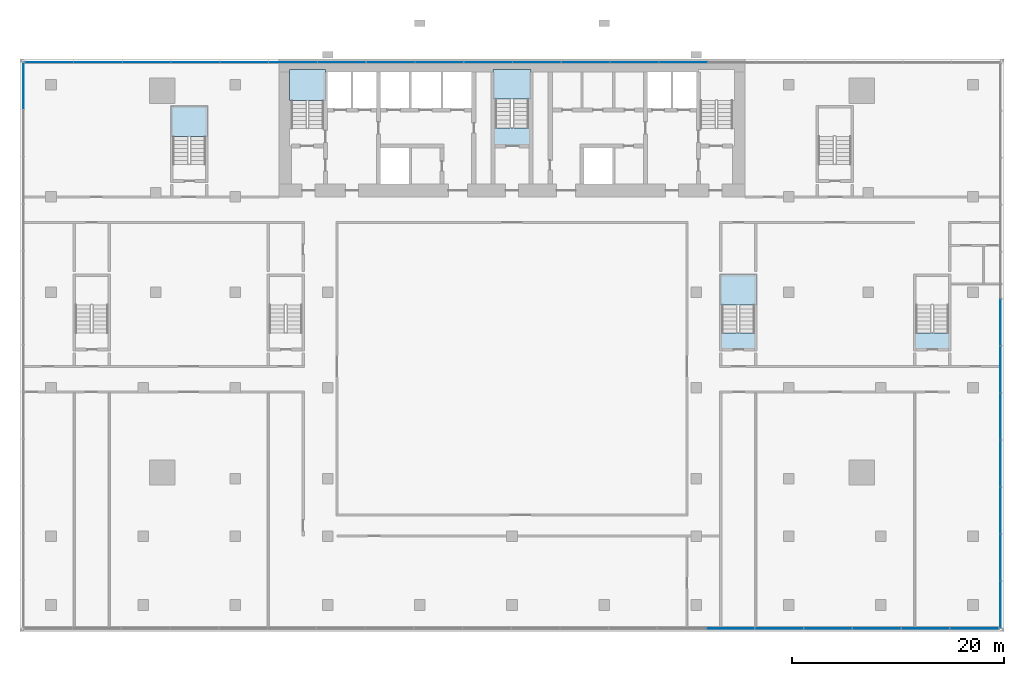
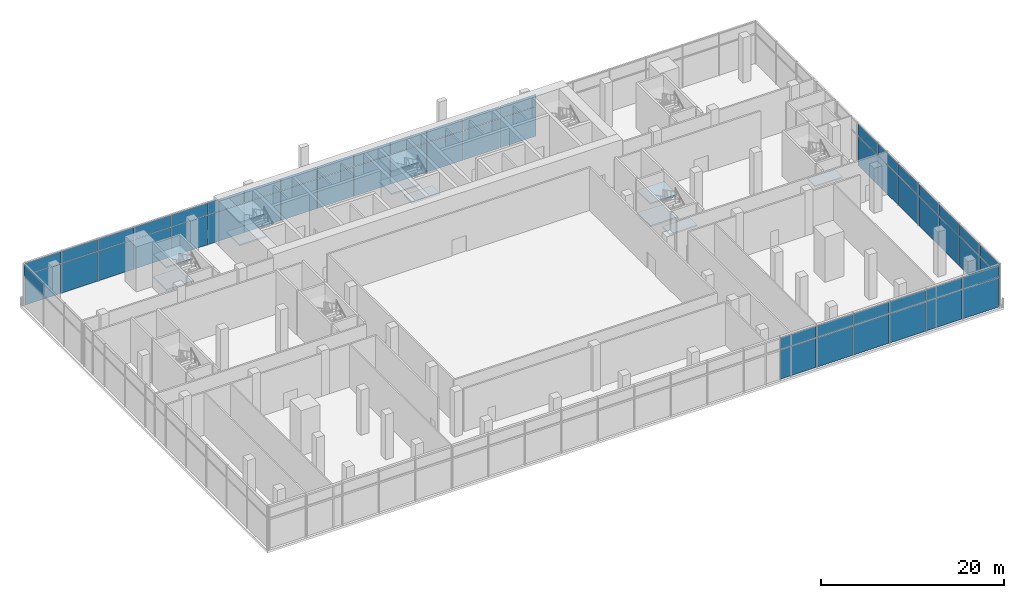
# One storey, part 10 of 21: 55 plates, 11 slabs, 9 elements without a shape of their own.
"""IFC4 building model written with IfcOpenShell, lengths in metres."""

from ifc_helpers import new_model, si_unit, direction, frame, origin, origin_2d, place, context, subcontext, project, spatial, polyline, rectangle, outline, extrude, material, layer, layer_set, type_object, element, aggregate, save


model = new_model("IFC4")

# Units and contexts
model_context = context("Model", 3, precision=1e-05, world=origin(), true_north=direction((0.0, 1.0)))
body_context = subcontext(model_context, "Body", "Model", "MODEL_VIEW")
ifc_project = project(units=[si_unit("LENGTHUNIT", "METRE"), si_unit("AREAUNIT", "SQUARE_METRE"), si_unit("VOLUMEUNIT", "CUBIC_METRE"), si_unit("PLANEANGLEUNIT", "RADIAN"), si_unit("MASSUNIT", "GRAM", prefix="KILO")], contexts=[model_context])

# Site, building, storey
site_placement = place(None, origin())
site = spatial("IfcSite", under=ifc_project, at=site_placement, CompositionType="ELEMENT")
building_placement = place(site_placement, origin())
building = spatial("IfcBuilding", under=site, at=building_placement, Name="Bicima Exchange Tower", CompositionType="ELEMENT")
storey_placement = place(building_placement, frame((0.0, 0.0, 8.0)))
storey = spatial("IfcBuildingStorey", under=building, at=storey_placement, Name="L01", CompositionType="ELEMENT", Elevation=8.0)

# Curtain wall, plates
ifc_material_1 = material(Name="Stainless steel", Category="steel")
curtain_wall_type_1 = type_object("IfcCurtainWallType", Name="Hall structural glazing", PredefinedType="NOTDEFINED", material=ifc_material_1)
curtain_wall_1_placement = place(storey_placement, origin())
curtain_wall_1 = element("IfcCurtainWall", 1, at=curtain_wall_1_placement, inside=storey, type_object=curtain_wall_type_1, Name="Podium glazing L01 south 1", PredefinedType="NOTDEFINED")
ifc_material_2 = material(Name="Clear low-iron glass", Category="glass")
ifc_layer_1 = layer(ifc_material_2, 0.0439453125)
ifc_layer_set_1 = layer_set([ifc_layer_1], Name="Clear low-iron glass")
plate_type_1 = type_object("IfcPlateType", Name="Hall structural glazing glass panel 44", PredefinedType="CURTAIN_PANEL", material=ifc_layer_set_1)
plate_1_placement = place(storey_placement, frame((20.6181640625, -53.699951171875, 0.0), z_axis=(0.0, 0.0, 1.0), x_axis=(1.0, 0.0, 0.0)))
plate_1 = element("IfcPlate", 2, at=plate_1_placement, type_object=plate_type_1, Name="Hall structural glazing panel 15.1", PredefinedType="CURTAIN_PANEL", context=body_context, shape_type="SweptSolid", body=[
    extrude(rectangle(XDim=4.5185546875, YDim=0.0439453125, at=origin_2d()), origin(), (0.0, 0.0, 1.0), 3.89990234375),
])
plate_2_placement = place(storey_placement, frame((20.6181640625, -53.699951171875, 4.0), z_axis=(0.0, 0.0, 1.0), x_axis=(1.0, 0.0, 0.0)))
plate_2 = element("IfcPlate", 3, at=plate_2_placement, type_object=plate_type_1, Name="Hall structural glazing panel 15.2", PredefinedType="CURTAIN_PANEL", context=body_context, shape_type="SweptSolid", body=[
    extrude(rectangle(XDim=4.5185546875, YDim=0.0439453125, at=origin_2d()), origin(), (0.0, 0.0, 1.0), 1.5),
])
plate_3_placement = place(storey_placement, frame((25.216796875, -53.699951171875, 0.0), z_axis=(0.0, 0.0, 1.0), x_axis=(1.0, 0.0, 0.0)))
plate_3 = element("IfcPlate", 4, at=plate_3_placement, type_object=plate_type_1, Name="Hall structural glazing panel 16.1", PredefinedType="CURTAIN_PANEL", context=body_context, shape_type="SweptSolid", body=[
    extrude(rectangle(XDim=4.5185546875, YDim=0.0439453125, at=origin_2d()), origin(), (0.0, 0.0, 1.0), 3.89990234375),
])
plate_4_placement = place(storey_placement, frame((25.216796875, -53.699951171875, 4.0), z_axis=(0.0, 0.0, 1.0), x_axis=(1.0, 0.0, 0.0)))
plate_4 = element("IfcPlate", 5, at=plate_4_placement, type_object=plate_type_1, Name="Hall structural glazing panel 16.2", PredefinedType="CURTAIN_PANEL", context=body_context, shape_type="SweptSolid", body=[
    extrude(rectangle(XDim=4.5185546875, YDim=0.0439453125, at=origin_2d()), origin(), (0.0, 0.0, 1.0), 1.5),
])
plate_5_placement = place(storey_placement, frame((29.815185546875, -53.699951171875, 0.0), z_axis=(0.0, 0.0, 1.0), x_axis=(1.0, 0.0, 0.0)))
plate_5 = element("IfcPlate", 6, at=plate_5_placement, type_object=plate_type_1, Name="Hall structural glazing panel 17.1", PredefinedType="CURTAIN_PANEL", context=body_context, shape_type="SweptSolid", body=[
    extrude(rectangle(XDim=4.5185546875, YDim=0.0439453125, at=origin_2d()), origin(), (0.0, 0.0, 1.0), 3.89990234375),
])
plate_6_placement = place(storey_placement, frame((29.815185546875, -53.699951171875, 4.0), z_axis=(0.0, 0.0, 1.0), x_axis=(1.0, 0.0, 0.0)))
plate_6 = element("IfcPlate", 7, at=plate_6_placement, type_object=plate_type_1, Name="Hall structural glazing panel 17.2", PredefinedType="CURTAIN_PANEL", context=body_context, shape_type="SweptSolid", body=[
    extrude(rectangle(XDim=4.5185546875, YDim=0.0439453125, at=origin_2d()), origin(), (0.0, 0.0, 1.0), 1.5),
])
plate_7_placement = place(storey_placement, frame((34.413818359375, -53.699951171875, 0.0), z_axis=(0.0, 0.0, 1.0), x_axis=(1.0, 0.0, 0.0)))
plate_7 = element("IfcPlate", 8, at=plate_7_placement, type_object=plate_type_1, Name="Hall structural glazing panel 18.1", PredefinedType="CURTAIN_PANEL", context=body_context, shape_type="SweptSolid", body=[
    extrude(rectangle(XDim=4.5185546875, YDim=0.0439453125, at=origin_2d()), origin(), (0.0, 0.0, 1.0), 3.89990234375),
])
plate_8_placement = place(storey_placement, frame((34.413818359375, -53.699951171875, 4.0), z_axis=(0.0, 0.0, 1.0), x_axis=(1.0, 0.0, 0.0)))
plate_8 = element("IfcPlate", 9, at=plate_8_placement, type_object=plate_type_1, Name="Hall structural glazing panel 18.2", PredefinedType="CURTAIN_PANEL", context=body_context, shape_type="SweptSolid", body=[
    extrude(rectangle(XDim=4.5185546875, YDim=0.0439453125, at=origin_2d()), origin(), (0.0, 0.0, 1.0), 1.5),
])
plate_9_placement = place(storey_placement, frame((39.01220703125, -53.699951171875, 0.0), z_axis=(0.0, 0.0, 1.0), x_axis=(1.0, 0.0, 0.0)))
plate_9 = element("IfcPlate", 10, at=plate_9_placement, type_object=plate_type_1, Name="Hall structural glazing panel 19.1", PredefinedType="CURTAIN_PANEL", context=body_context, shape_type="SweptSolid", body=[
    extrude(rectangle(XDim=4.5185546875, YDim=0.0439453125, at=origin_2d()), origin(), (0.0, 0.0, 1.0), 3.89990234375),
])
plate_10_placement = place(storey_placement, frame((39.01220703125, -53.699951171875, 4.0), z_axis=(0.0, 0.0, 1.0), x_axis=(1.0, 0.0, 0.0)))
plate_10 = element("IfcPlate", 11, at=plate_10_placement, type_object=plate_type_1, Name="Hall structural glazing panel 19.2", PredefinedType="CURTAIN_PANEL", context=body_context, shape_type="SweptSolid", body=[
    extrude(rectangle(XDim=4.5185546875, YDim=0.0439453125, at=origin_2d()), origin(), (0.0, 0.0, 1.0), 1.5),
])
plate_11_placement = place(storey_placement, frame((43.610595703125, -53.699951171875, 0.0), z_axis=(0.0, 0.0, 1.0), x_axis=(1.0, 0.0, 0.0)))
plate_11 = element("IfcPlate", 12, at=plate_11_placement, type_object=plate_type_1, Name="Hall structural glazing panel 20.1", PredefinedType="CURTAIN_PANEL", context=body_context, shape_type="SweptSolid", body=[
    extrude(rectangle(XDim=4.5185546875, YDim=0.0439453125, at=origin_2d()), origin(), (0.0, 0.0, 1.0), 3.89990234375),
])
plate_12_placement = place(storey_placement, frame((43.610595703125, -53.699951171875, 4.0), z_axis=(0.0, 0.0, 1.0), x_axis=(1.0, 0.0, 0.0)))
plate_12 = element("IfcPlate", 13, at=plate_12_placement, type_object=plate_type_1, Name="Hall structural glazing panel 20.2", PredefinedType="CURTAIN_PANEL", context=body_context, shape_type="SweptSolid", body=[
    extrude(rectangle(XDim=4.5185546875, YDim=0.0439453125, at=origin_2d()), origin(), (0.0, 0.0, 1.0), 1.5),
])
aggregate(curtain_wall_1, [plate_1, plate_2, plate_3, plate_4, plate_5, plate_6, plate_7, plate_8, plate_9, plate_10, plate_11, plate_12])

ifc_material_3 = material(Name="Anodised bronze aluminium", Category="aluminium")
curtain_wall_type_2 = type_object("IfcCurtainWallType", Name="Lobby glazing", PredefinedType="NOTDEFINED", material=ifc_material_3)
curtain_wall_2_placement = place(storey_placement, origin())
curtain_wall_2 = element("IfcCurtainWall", 14, at=curtain_wall_2_placement, inside=storey, type_object=curtain_wall_type_2, Name="Podium glazing L01 east 1", PredefinedType="NOTDEFINED")
ifc_layer_2 = layer(ifc_material_2, 0.035888671875)
ifc_layer_set_2 = layer_set([ifc_layer_2], Name="Clear low-iron glass")
plate_type_2 = type_object("IfcPlateType", Name="Lobby glazing glass panel 36", PredefinedType="CURTAIN_PANEL", material=ifc_layer_set_2)
plate_13_placement = place(storey_placement, frame((46.10009765625, -51.45166015625, 0.0), z_axis=(0.0, 0.0, 1.0), x_axis=(0.0, 1.0, 0.0)))
plate_13 = element("IfcPlate", 15, at=plate_13_placement, type_object=plate_type_2, Name="Lobby glazing panel 1.1", PredefinedType="CURTAIN_PANEL", context=body_context, shape_type="SweptSolid", body=[
    extrude(rectangle(XDim=4.376708984375, YDim=0.035888671875, at=origin_2d()), origin(), (0.0, 0.0, 1.0), 3.929931640625),
])
plate_14_placement = place(storey_placement, frame((46.10009765625, -51.45166015625, 4.0), z_axis=(0.0, 0.0, 1.0), x_axis=(0.0, 1.0, 0.0)))
plate_14 = element("IfcPlate", 16, at=plate_14_placement, type_object=plate_type_2, Name="Lobby glazing panel 1.2", PredefinedType="CURTAIN_PANEL", context=body_context, shape_type="SweptSolid", body=[
    extrude(rectangle(XDim=4.376708984375, YDim=0.035888671875, at=origin_2d()), origin(), (0.0, 0.0, 1.0), 1.56005859375),
])
plate_15_placement = place(storey_placement, frame((46.10009765625, -47.014892578125, 0.0), z_axis=(0.0, 0.0, 1.0), x_axis=(0.0, 1.0, 0.0)))
plate_15 = element("IfcPlate", 17, at=plate_15_placement, type_object=plate_type_2, Name="Lobby glazing panel 2.1", PredefinedType="CURTAIN_PANEL", context=body_context, shape_type="SweptSolid", body=[
    extrude(rectangle(XDim=4.376708984375, YDim=0.035888671875, at=origin_2d()), origin(), (0.0, 0.0, 1.0), 3.929931640625),
])
plate_16_placement = place(storey_placement, frame((46.10009765625, -47.014892578125, 4.0), z_axis=(0.0, 0.0, 1.0), x_axis=(0.0, 1.0, 0.0)))
plate_16 = element("IfcPlate", 18, at=plate_16_placement, type_object=plate_type_2, Name="Lobby glazing panel 2.2", PredefinedType="CURTAIN_PANEL", context=body_context, shape_type="SweptSolid", body=[
    extrude(rectangle(XDim=4.376708984375, YDim=0.035888671875, at=origin_2d()), origin(), (0.0, 0.0, 1.0), 1.56005859375),
])
plate_17_placement = place(storey_placement, frame((46.10009765625, -42.578369140625, 0.0), z_axis=(0.0, 0.0, 1.0), x_axis=(0.0, 1.0, 0.0)))
plate_17 = element("IfcPlate", 19, at=plate_17_placement, type_object=plate_type_2, Name="Lobby glazing panel 3.1", PredefinedType="CURTAIN_PANEL", context=body_context, shape_type="SweptSolid", body=[
    extrude(rectangle(XDim=4.376708984375, YDim=0.035888671875, at=origin_2d()), origin(), (0.0, 0.0, 1.0), 3.929931640625),
])
plate_18_placement = place(storey_placement, frame((46.10009765625, -42.578369140625, 4.0), z_axis=(0.0, 0.0, 1.0), x_axis=(0.0, 1.0, 0.0)))
plate_18 = element("IfcPlate", 20, at=plate_18_placement, type_object=plate_type_2, Name="Lobby glazing panel 3.2", PredefinedType="CURTAIN_PANEL", context=body_context, shape_type="SweptSolid", body=[
    extrude(rectangle(XDim=4.376708984375, YDim=0.035888671875, at=origin_2d()), origin(), (0.0, 0.0, 1.0), 1.56005859375),
])
plate_19_placement = place(storey_placement, frame((46.10009765625, -38.1416015625, 0.0), z_axis=(0.0, 0.0, 1.0), x_axis=(0.0, 1.0, 0.0)))
plate_19 = element("IfcPlate", 21, at=plate_19_placement, type_object=plate_type_2, Name="Lobby glazing panel 4.1", PredefinedType="CURTAIN_PANEL", context=body_context, shape_type="SweptSolid", body=[
    extrude(rectangle(XDim=4.376708984375, YDim=0.035888671875, at=origin_2d()), origin(), (0.0, 0.0, 1.0), 3.929931640625),
])
plate_20_placement = place(storey_placement, frame((46.10009765625, -38.1416015625, 4.0), z_axis=(0.0, 0.0, 1.0), x_axis=(0.0, 1.0, 0.0)))
plate_20 = element("IfcPlate", 22, at=plate_20_placement, type_object=plate_type_2, Name="Lobby glazing panel 4.2", PredefinedType="CURTAIN_PANEL", context=body_context, shape_type="SweptSolid", body=[
    extrude(rectangle(XDim=4.376708984375, YDim=0.035888671875, at=origin_2d()), origin(), (0.0, 0.0, 1.0), 1.56005859375),
])
plate_21_placement = place(storey_placement, frame((46.10009765625, -33.705078125, 0.0), z_axis=(0.0, 0.0, 1.0), x_axis=(0.0, 1.0, 0.0)))
plate_21 = element("IfcPlate", 23, at=plate_21_placement, type_object=plate_type_2, Name="Lobby glazing panel 5.1", PredefinedType="CURTAIN_PANEL", context=body_context, shape_type="SweptSolid", body=[
    extrude(rectangle(XDim=4.376708984375, YDim=0.035888671875, at=origin_2d()), origin(), (0.0, 0.0, 1.0), 3.929931640625),
])
plate_22_placement = place(storey_placement, frame((46.10009765625, -33.705078125, 4.0), z_axis=(0.0, 0.0, 1.0), x_axis=(0.0, 1.0, 0.0)))
plate_22 = element("IfcPlate", 24, at=plate_22_placement, type_object=plate_type_2, Name="Lobby glazing panel 5.2", PredefinedType="CURTAIN_PANEL", context=body_context, shape_type="SweptSolid", body=[
    extrude(rectangle(XDim=4.376708984375, YDim=0.035888671875, at=origin_2d()), origin(), (0.0, 0.0, 1.0), 1.56005859375),
])
plate_23_placement = place(storey_placement, frame((46.10009765625, -29.268310546875, 0.0), z_axis=(0.0, 0.0, 1.0), x_axis=(0.0, 1.0, 0.0)))
plate_23 = element("IfcPlate", 25, at=plate_23_placement, type_object=plate_type_2, Name="Lobby glazing panel 6.1", PredefinedType="CURTAIN_PANEL", context=body_context, shape_type="SweptSolid", body=[
    extrude(rectangle(XDim=4.376708984375, YDim=0.035888671875, at=origin_2d()), origin(), (0.0, 0.0, 1.0), 3.929931640625),
])
plate_24_placement = place(storey_placement, frame((46.10009765625, -29.268310546875, 4.0), z_axis=(0.0, 0.0, 1.0), x_axis=(0.0, 1.0, 0.0)))
plate_24 = element("IfcPlate", 26, at=plate_24_placement, type_object=plate_type_2, Name="Lobby glazing panel 6.2", PredefinedType="CURTAIN_PANEL", context=body_context, shape_type="SweptSolid", body=[
    extrude(rectangle(XDim=4.376708984375, YDim=0.035888671875, at=origin_2d()), origin(), (0.0, 0.0, 1.0), 1.56005859375),
])
plate_25_placement = place(storey_placement, frame((46.10009765625, -24.831787109375, 0.0), z_axis=(0.0, 0.0, 1.0), x_axis=(0.0, 1.0, 0.0)))
plate_25 = element("IfcPlate", 27, at=plate_25_placement, type_object=plate_type_2, Name="Lobby glazing panel 7.1", PredefinedType="CURTAIN_PANEL", context=body_context, shape_type="SweptSolid", body=[
    extrude(rectangle(XDim=4.376708984375, YDim=0.035888671875, at=origin_2d()), origin(), (0.0, 0.0, 1.0), 3.929931640625),
])
plate_26_placement = place(storey_placement, frame((46.10009765625, -24.831787109375, 4.0), z_axis=(0.0, 0.0, 1.0), x_axis=(0.0, 1.0, 0.0)))
plate_26 = element("IfcPlate", 28, at=plate_26_placement, type_object=plate_type_2, Name="Lobby glazing panel 7.2", PredefinedType="CURTAIN_PANEL", context=body_context, shape_type="SweptSolid", body=[
    extrude(rectangle(XDim=4.376708984375, YDim=0.035888671875, at=origin_2d()), origin(), (0.0, 0.0, 1.0), 1.56005859375),
])
aggregate(curtain_wall_2, [plate_13, plate_14, plate_15, plate_16, plate_17, plate_18, plate_19, plate_20, plate_21, plate_22, plate_23, plate_24, plate_25, plate_26])

curtain_wall_3_placement = place(storey_placement, origin())
curtain_wall_3 = element("IfcCurtainWall", 29, at=curtain_wall_3_placement, inside=storey, type_object=curtain_wall_type_2, Name="Podium glazing L01 north 1", PredefinedType="NOTDEFINED")
plate_27_placement = place(storey_placement, frame((16.156982421875, -0.300048828125, 0.0), z_axis=(0.0, 0.0, 1.0), x_axis=(-1.0, 0.0, 0.0)))
plate_27 = element("IfcPlate", 30, at=plate_27_placement, type_object=plate_type_2, Name="Lobby glazing panel 7.1", PredefinedType="CURTAIN_PANEL", context=body_context, shape_type="SweptSolid", body=[
    extrude(rectangle(XDim=4.5419921875, YDim=0.035888671875, at=origin_2d()), origin(), (0.0, 0.0, 1.0), 3.929931640625),
])
plate_28_placement = place(storey_placement, frame((16.156982421875, -0.300048828125, 4.0), z_axis=(0.0, 0.0, 1.0), x_axis=(-1.0, 0.0, 0.0)))
plate_28 = element("IfcPlate", 31, at=plate_28_placement, type_object=plate_type_2, Name="Lobby glazing panel 7.2", PredefinedType="CURTAIN_PANEL", context=body_context, shape_type="SweptSolid", body=[
    extrude(rectangle(XDim=4.5419921875, YDim=0.035888671875, at=origin_2d()), origin(), (0.0, 0.0, 1.0), 1.56005859375),
])
plate_29_placement = place(storey_placement, frame((11.554931640625, -0.300048828125, 0.0), z_axis=(0.0, 0.0, 1.0), x_axis=(-1.0, 0.0, 0.0)))
plate_29 = element("IfcPlate", 32, at=plate_29_placement, type_object=plate_type_2, Name="Lobby glazing panel 8.1", PredefinedType="CURTAIN_PANEL", context=body_context, shape_type="SweptSolid", body=[
    extrude(rectangle(XDim=4.5419921875, YDim=0.035888671875, at=origin_2d()), origin(), (0.0, 0.0, 1.0), 3.929931640625),
])
plate_30_placement = place(storey_placement, frame((11.554931640625, -0.300048828125, 4.0), z_axis=(0.0, 0.0, 1.0), x_axis=(-1.0, 0.0, 0.0)))
plate_30 = element("IfcPlate", 33, at=plate_30_placement, type_object=plate_type_2, Name="Lobby glazing panel 8.2", PredefinedType="CURTAIN_PANEL", context=body_context, shape_type="SweptSolid", body=[
    extrude(rectangle(XDim=4.5419921875, YDim=0.035888671875, at=origin_2d()), origin(), (0.0, 0.0, 1.0), 1.56005859375),
])
plate_31_placement = place(storey_placement, frame((6.952880859375, -0.300048828125, 0.0), z_axis=(0.0, 0.0, 1.0), x_axis=(-1.0, 0.0, 0.0)))
plate_31 = element("IfcPlate", 34, at=plate_31_placement, type_object=plate_type_2, Name="Lobby glazing panel 9.1", PredefinedType="CURTAIN_PANEL", context=body_context, shape_type="SweptSolid", body=[
    extrude(rectangle(XDim=4.5419921875, YDim=0.035888671875, at=origin_2d()), origin(), (0.0, 0.0, 1.0), 3.929931640625),
])
plate_32_placement = place(storey_placement, frame((6.952880859375, -0.300048828125, 4.0), z_axis=(0.0, 0.0, 1.0), x_axis=(-1.0, 0.0, 0.0)))
plate_32 = element("IfcPlate", 35, at=plate_32_placement, type_object=plate_type_2, Name="Lobby glazing panel 9.2", PredefinedType="CURTAIN_PANEL", context=body_context, shape_type="SweptSolid", body=[
    extrude(rectangle(XDim=4.5419921875, YDim=0.035888671875, at=origin_2d()), origin(), (0.0, 0.0, 1.0), 1.56005859375),
])
plate_33_placement = place(storey_placement, frame((2.35107421875, -0.300048828125, 0.0), z_axis=(0.0, 0.0, 1.0), x_axis=(-1.0, 0.0, 0.0)))
plate_33 = element("IfcPlate", 36, at=plate_33_placement, type_object=plate_type_2, Name="Lobby glazing panel 10.1", PredefinedType="CURTAIN_PANEL", context=body_context, shape_type="SweptSolid", body=[
    extrude(rectangle(XDim=4.5419921875, YDim=0.035888671875, at=origin_2d()), origin(), (0.0, 0.0, 1.0), 3.929931640625),
])
plate_34_placement = place(storey_placement, frame((2.35107421875, -0.300048828125, 4.0), z_axis=(0.0, 0.0, 1.0), x_axis=(-1.0, 0.0, 0.0)))
plate_34 = element("IfcPlate", 37, at=plate_34_placement, type_object=plate_type_2, Name="Lobby glazing panel 10.2", PredefinedType="CURTAIN_PANEL", context=body_context, shape_type="SweptSolid", body=[
    extrude(rectangle(XDim=4.5419921875, YDim=0.035888671875, at=origin_2d()), origin(), (0.0, 0.0, 1.0), 1.56005859375),
])
plate_35_placement = place(storey_placement, frame((-2.2509765625, -0.300048828125, 0.0), z_axis=(0.0, 0.0, 1.0), x_axis=(-1.0, 0.0, 0.0)))
plate_35 = element("IfcPlate", 38, at=plate_35_placement, type_object=plate_type_2, Name="Lobby glazing panel 11.1", PredefinedType="CURTAIN_PANEL", context=body_context, shape_type="SweptSolid", body=[
    extrude(rectangle(XDim=4.5419921875, YDim=0.035888671875, at=origin_2d()), origin(), (0.0, 0.0, 1.0), 3.929931640625),
])
plate_36_placement = place(storey_placement, frame((-2.2509765625, -0.300048828125, 4.0), z_axis=(0.0, 0.0, 1.0), x_axis=(-1.0, 0.0, 0.0)))
plate_36 = element("IfcPlate", 39, at=plate_36_placement, type_object=plate_type_2, Name="Lobby glazing panel 11.2", PredefinedType="CURTAIN_PANEL", context=body_context, shape_type="SweptSolid", body=[
    extrude(rectangle(XDim=4.5419921875, YDim=0.035888671875, at=origin_2d()), origin(), (0.0, 0.0, 1.0), 1.56005859375),
])
plate_37_placement = place(storey_placement, frame((-6.85302734375, -0.300048828125, 0.0), z_axis=(0.0, 0.0, 1.0), x_axis=(-1.0, 0.0, 0.0)))
plate_37 = element("IfcPlate", 40, at=plate_37_placement, type_object=plate_type_2, Name="Lobby glazing panel 12.1", PredefinedType="CURTAIN_PANEL", context=body_context, shape_type="SweptSolid", body=[
    extrude(rectangle(XDim=4.5419921875, YDim=0.035888671875, at=origin_2d()), origin(), (0.0, 0.0, 1.0), 3.929931640625),
])
plate_38_placement = place(storey_placement, frame((-6.85302734375, -0.300048828125, 4.0), z_axis=(0.0, 0.0, 1.0), x_axis=(-1.0, 0.0, 0.0)))
plate_38 = element("IfcPlate", 41, at=plate_38_placement, type_object=plate_type_2, Name="Lobby glazing panel 12.2", PredefinedType="CURTAIN_PANEL", context=body_context, shape_type="SweptSolid", body=[
    extrude(rectangle(XDim=4.5419921875, YDim=0.035888671875, at=origin_2d()), origin(), (0.0, 0.0, 1.0), 1.56005859375),
])
plate_39_placement = place(storey_placement, frame((-11.455078125, -0.300048828125, 0.0), z_axis=(0.0, 0.0, 1.0), x_axis=(-1.0, 0.0, 0.0)))
plate_39 = element("IfcPlate", 42, at=plate_39_placement, type_object=plate_type_2, Name="Lobby glazing panel 13.1", PredefinedType="CURTAIN_PANEL", context=body_context, shape_type="SweptSolid", body=[
    extrude(rectangle(XDim=4.5419921875, YDim=0.035888671875, at=origin_2d()), origin(), (0.0, 0.0, 1.0), 3.929931640625),
])
plate_40_placement = place(storey_placement, frame((-11.455078125, -0.300048828125, 4.0), z_axis=(0.0, 0.0, 1.0), x_axis=(-1.0, 0.0, 0.0)))
plate_40 = element("IfcPlate", 43, at=plate_40_placement, type_object=plate_type_2, Name="Lobby glazing panel 13.2", PredefinedType="CURTAIN_PANEL", context=body_context, shape_type="SweptSolid", body=[
    extrude(rectangle(XDim=4.5419921875, YDim=0.035888671875, at=origin_2d()), origin(), (0.0, 0.0, 1.0), 1.56005859375),
])
plate_41_placement = place(storey_placement, frame((-16.056884765625, -0.300048828125, 0.0), z_axis=(0.0, 0.0, 1.0), x_axis=(-1.0, 0.0, 0.0)))
plate_41 = element("IfcPlate", 44, at=plate_41_placement, type_object=plate_type_2, Name="Lobby glazing panel 14.1", PredefinedType="CURTAIN_PANEL", context=body_context, shape_type="SweptSolid", body=[
    extrude(rectangle(XDim=4.5419921875, YDim=0.035888671875, at=origin_2d()), origin(), (0.0, 0.0, 1.0), 3.929931640625),
])
plate_42_placement = place(storey_placement, frame((-16.056884765625, -0.300048828125, 4.0), z_axis=(0.0, 0.0, 1.0), x_axis=(-1.0, 0.0, 0.0)))
plate_42 = element("IfcPlate", 45, at=plate_42_placement, type_object=plate_type_2, Name="Lobby glazing panel 14.2", PredefinedType="CURTAIN_PANEL", context=body_context, shape_type="SweptSolid", body=[
    extrude(rectangle(XDim=4.5419921875, YDim=0.035888671875, at=origin_2d()), origin(), (0.0, 0.0, 1.0), 1.56005859375),
])
plate_43_placement = place(storey_placement, frame((-20.658935546875, -0.300048828125, 0.0), z_axis=(0.0, 0.0, 1.0), x_axis=(-1.0, 0.0, 0.0)))
plate_43 = element("IfcPlate", 46, at=plate_43_placement, type_object=plate_type_2, Name="Lobby glazing panel 15.1", PredefinedType="CURTAIN_PANEL", context=body_context, shape_type="SweptSolid", body=[
    extrude(rectangle(XDim=4.5419921875, YDim=0.035888671875, at=origin_2d()), origin(), (0.0, 0.0, 1.0), 3.929931640625),
])
plate_44_placement = place(storey_placement, frame((-20.658935546875, -0.300048828125, 4.0), z_axis=(0.0, 0.0, 1.0), x_axis=(-1.0, 0.0, 0.0)))
plate_44 = element("IfcPlate", 47, at=plate_44_placement, type_object=plate_type_2, Name="Lobby glazing panel 15.2", PredefinedType="CURTAIN_PANEL", context=body_context, shape_type="SweptSolid", body=[
    extrude(rectangle(XDim=4.5419921875, YDim=0.035888671875, at=origin_2d()), origin(), (0.0, 0.0, 1.0), 1.56005859375),
])
plate_45_placement = place(storey_placement, frame((-25.260986328125, -0.300048828125, 0.0), z_axis=(0.0, 0.0, 1.0), x_axis=(-1.0, 0.0, 0.0)))
plate_45 = element("IfcPlate", 48, at=plate_45_placement, type_object=plate_type_2, Name="Lobby glazing panel 16.1", PredefinedType="CURTAIN_PANEL", context=body_context, shape_type="SweptSolid", body=[
    extrude(rectangle(XDim=4.5419921875, YDim=0.035888671875, at=origin_2d()), origin(), (0.0, 0.0, 1.0), 3.929931640625),
])
plate_46_placement = place(storey_placement, frame((-25.260986328125, -0.300048828125, 4.0), z_axis=(0.0, 0.0, 1.0), x_axis=(-1.0, 0.0, 0.0)))
plate_46 = element("IfcPlate", 49, at=plate_46_placement, type_object=plate_type_2, Name="Lobby glazing panel 16.2", PredefinedType="CURTAIN_PANEL", context=body_context, shape_type="SweptSolid", body=[
    extrude(rectangle(XDim=4.5419921875, YDim=0.035888671875, at=origin_2d()), origin(), (0.0, 0.0, 1.0), 1.56005859375),
])
plate_47_placement = place(storey_placement, frame((-29.863037109375, -0.300048828125, 0.0), z_axis=(0.0, 0.0, 1.0), x_axis=(-1.0, 0.0, 0.0)))
plate_47 = element("IfcPlate", 50, at=plate_47_placement, type_object=plate_type_2, Name="Lobby glazing panel 17.1", PredefinedType="CURTAIN_PANEL", context=body_context, shape_type="SweptSolid", body=[
    extrude(rectangle(XDim=4.5419921875, YDim=0.035888671875, at=origin_2d()), origin(), (0.0, 0.0, 1.0), 3.929931640625),
])
plate_48_placement = place(storey_placement, frame((-29.863037109375, -0.300048828125, 4.0), z_axis=(0.0, 0.0, 1.0), x_axis=(-1.0, 0.0, 0.0)))
plate_48 = element("IfcPlate", 51, at=plate_48_placement, type_object=plate_type_2, Name="Lobby glazing panel 17.2", PredefinedType="CURTAIN_PANEL", context=body_context, shape_type="SweptSolid", body=[
    extrude(rectangle(XDim=4.5419921875, YDim=0.035888671875, at=origin_2d()), origin(), (0.0, 0.0, 1.0), 1.56005859375),
])
plate_49_placement = place(storey_placement, frame((-34.465087890625, -0.300048828125, 0.0), z_axis=(0.0, 0.0, 1.0), x_axis=(-1.0, 0.0, 0.0)))
plate_49 = element("IfcPlate", 52, at=plate_49_placement, type_object=plate_type_2, Name="Lobby glazing panel 18.1", PredefinedType="CURTAIN_PANEL", context=body_context, shape_type="SweptSolid", body=[
    extrude(rectangle(XDim=4.5419921875, YDim=0.035888671875, at=origin_2d()), origin(), (0.0, 0.0, 1.0), 3.929931640625),
])
plate_50_placement = place(storey_placement, frame((-34.465087890625, -0.300048828125, 4.0), z_axis=(0.0, 0.0, 1.0), x_axis=(-1.0, 0.0, 0.0)))
plate_50 = element("IfcPlate", 53, at=plate_50_placement, type_object=plate_type_2, Name="Lobby glazing panel 18.2", PredefinedType="CURTAIN_PANEL", context=body_context, shape_type="SweptSolid", body=[
    extrude(rectangle(XDim=4.5419921875, YDim=0.035888671875, at=origin_2d()), origin(), (0.0, 0.0, 1.0), 1.56005859375),
])
plate_51_placement = place(storey_placement, frame((-39.06689453125, -0.300048828125, 0.0), z_axis=(0.0, 0.0, 1.0), x_axis=(-1.0, 0.0, 0.0)))
plate_51 = element("IfcPlate", 54, at=plate_51_placement, type_object=plate_type_2, Name="Lobby glazing panel 19.1", PredefinedType="CURTAIN_PANEL", context=body_context, shape_type="SweptSolid", body=[
    extrude(rectangle(XDim=4.5419921875, YDim=0.035888671875, at=origin_2d()), origin(), (0.0, 0.0, 1.0), 3.929931640625),
])
plate_52_placement = place(storey_placement, frame((-39.06689453125, -0.300048828125, 4.0), z_axis=(0.0, 0.0, 1.0), x_axis=(-1.0, 0.0, 0.0)))
plate_52 = element("IfcPlate", 55, at=plate_52_placement, type_object=plate_type_2, Name="Lobby glazing panel 19.2", PredefinedType="CURTAIN_PANEL", context=body_context, shape_type="SweptSolid", body=[
    extrude(rectangle(XDim=4.5419921875, YDim=0.035888671875, at=origin_2d()), origin(), (0.0, 0.0, 1.0), 1.56005859375),
])
plate_53_placement = place(storey_placement, frame((-43.6689453125, -0.300048828125, 0.0), z_axis=(0.0, 0.0, 1.0), x_axis=(-1.0, 0.0, 0.0)))
plate_53 = element("IfcPlate", 56, at=plate_53_placement, type_object=plate_type_2, Name="Lobby glazing panel 20.1", PredefinedType="CURTAIN_PANEL", context=body_context, shape_type="SweptSolid", body=[
    extrude(rectangle(XDim=4.5419921875, YDim=0.035888671875, at=origin_2d()), origin(), (0.0, 0.0, 1.0), 3.929931640625),
])
plate_54_placement = place(storey_placement, frame((-43.6689453125, -0.300048828125, 4.0), z_axis=(0.0, 0.0, 1.0), x_axis=(-1.0, 0.0, 0.0)))
plate_54 = element("IfcPlate", 57, at=plate_54_placement, type_object=plate_type_2, Name="Lobby glazing panel 20.2", PredefinedType="CURTAIN_PANEL", context=body_context, shape_type="SweptSolid", body=[
    extrude(rectangle(XDim=4.5419921875, YDim=0.035888671875, at=origin_2d()), origin(), (0.0, 0.0, 1.0), 1.56005859375),
])
aggregate(curtain_wall_3, [plate_27, plate_28, plate_29, plate_30, plate_31, plate_32, plate_33, plate_34, plate_35, plate_36, plate_37, plate_38, plate_39, plate_40, plate_41, plate_42, plate_43, plate_44, plate_45, plate_46, plate_47, plate_48, plate_49, plate_50, plate_51, plate_52, plate_53, plate_54])

# Curtain wall, plate
curtain_wall_4_placement = place(storey_placement, origin())
curtain_wall_4 = element("IfcCurtainWall", 58, at=curtain_wall_4_placement, inside=storey, type_object=curtain_wall_type_2, Name="Podium glazing L01 west 1", PredefinedType="NOTDEFINED")
plate_55_placement = place(storey_placement, frame((-46.10009765625, -2.54833984375, 4.0), z_axis=(0.0, 0.0, 1.0), x_axis=(0.0, -1.0, 0.0)))
plate_55 = element("IfcPlate", 59, at=plate_55_placement, type_object=plate_type_2, Name="Lobby glazing panel 1.2", PredefinedType="CURTAIN_PANEL", context=body_context, shape_type="SweptSolid", body=[
    extrude(rectangle(XDim=4.376708984375, YDim=0.035888671875, at=origin_2d()), origin(), (0.0, 0.0, 1.0), 1.56005859375),
])
aggregate(curtain_wall_4, [plate_55])

# Stair, slabs
ifc_material_4 = material(Name="Concrete C50/60", Category="concrete")
stair_type_1 = type_object("IfcStairType", Name="Exit stair", PredefinedType="HALF_TURN_STAIR", material=ifc_material_4)
stair_1_placement = place(storey_placement, origin())
stair_1 = element("IfcStair", 60, at=stair_1_placement, inside=storey, type_object=stair_type_1, Name="L01 West exit stair", PredefinedType="HALF_TURN_STAIR")
ifc_layer_3 = layer(ifc_material_4, 0.199951171875)
ifc_layer_set_3 = layer_set([ifc_layer_3], Name="Concrete C50/60")
slab_type = type_object("IfcSlabType", Name="Stair landing slab", PredefinedType="LANDING", material=ifc_layer_set_3)
slab_1_placement = place(storey_placement, frame((0.0, 0.0, 1.300048828125)))
slab_1 = element("IfcSlab", 61, at=slab_1_placement, type_object=slab_type, Name="ST-W landing 1", PredefinedType="LANDING", context=body_context, shape_type="SweptSolid", body=[
    extrude(outline(polyline([(-17.60009765625, -3.919921875), (-17.60009765625, -1.0), (-21.0, -1.0), (-21.0, -3.919921875), (-17.60009765625, -3.919921875)])), origin(), (0.0, 0.0, 1.0), 0.199951171875),
])
slab_2_placement = place(storey_placement, frame((0.0, 0.0, 4.300048828125)))
slab_2 = element("IfcSlab", 62, at=slab_2_placement, type_object=slab_type, Name="ST-W landing 3", PredefinedType="LANDING", context=body_context, shape_type="SweptSolid", body=[
    extrude(outline(polyline([(-17.60009765625, -3.919921875), (-17.60009765625, -1.0), (-21.0, -1.0), (-21.0, -3.919921875), (-17.60009765625, -3.919921875)])), origin(), (0.0, 0.0, 1.0), 0.199951171875),
])
aggregate(stair_1, [slab_1, slab_2])

stair_type_2 = type_object("IfcStairType", Name="Exit stair 1500", PredefinedType="HALF_TURN_STAIR", material=ifc_material_4)
stair_2_placement = place(storey_placement, origin())
stair_2 = element("IfcStair", 63, at=stair_2_placement, inside=storey, type_object=stair_type_2, Name="L01 Central exit stair", PredefinedType="HALF_TURN_STAIR")
slab_3_placement = place(storey_placement, frame((0.0, 0.0, 1.300048828125)))
slab_3 = element("IfcSlab", 64, at=slab_3_placement, type_object=slab_type, Name="ST-C landing 1", PredefinedType="LANDING", context=body_context, shape_type="SweptSolid", body=[
    extrude(outline(polyline([(1.77490234375, -3.780029296875), (1.77490234375, -1.0), (-1.77490234375, -1.0), (-1.77490234375, -3.780029296875), (1.77490234375, -3.780029296875)])), origin(), (0.0, 0.0, 1.0), 0.199951171875),
])
slab_4_placement = place(storey_placement, frame((0.0, 0.0, 2.800048828125)))
slab_4 = element("IfcSlab", 65, at=slab_4_placement, type_object=slab_type, Name="ST-C landing 2", PredefinedType="LANDING", context=body_context, shape_type="SweptSolid", body=[
    extrude(outline(polyline([(1.77490234375, -8.199951171875), (1.77490234375, -6.5), (-1.77490234375, -6.5), (-1.77490234375, -8.199951171875), (1.77490234375, -8.199951171875)])), origin(), (0.0, 0.0, 1.0), 0.199951171875),
])
slab_5_placement = place(storey_placement, frame((0.0, 0.0, 4.300048828125)))
slab_5 = element("IfcSlab", 66, at=slab_5_placement, type_object=slab_type, Name="ST-C landing 3", PredefinedType="LANDING", context=body_context, shape_type="SweptSolid", body=[
    extrude(outline(polyline([(1.77490234375, -3.780029296875), (1.77490234375, -1.0), (-1.77490234375, -1.0), (-1.77490234375, -3.780029296875), (1.77490234375, -3.780029296875)])), origin(), (0.0, 0.0, 1.0), 0.199951171875),
])
aggregate(stair_2, [slab_3, slab_4, slab_5])

stair_3_placement = place(storey_placement, origin())
stair_3 = element("IfcStair", 67, at=stair_3_placement, inside=storey, type_object=stair_type_1, Name="L01 West end exit stair", PredefinedType="HALF_TURN_STAIR")
slab_6_placement = place(storey_placement, frame((0.0, 0.0, 1.300048828125)))
slab_6 = element("IfcSlab", 68, at=slab_6_placement, type_object=slab_type, Name="ST-WW landing 1", PredefinedType="LANDING", context=body_context, shape_type="SweptSolid", body=[
    extrude(outline(polyline([(-28.72509765625, -7.294921875), (-28.72509765625, -4.425048828125), (-32.175048828125, -4.425048828125), (-32.175048828125, -7.294921875), (-28.72509765625, -7.294921875)])), origin(), (0.0, 0.0, 1.0), 0.199951171875),
])
slab_7_placement = place(storey_placement, frame((0.0, 0.0, 4.300048828125)))
slab_7 = element("IfcSlab", 69, at=slab_7_placement, type_object=slab_type, Name="ST-WW landing 3", PredefinedType="LANDING", context=body_context, shape_type="SweptSolid", body=[
    extrude(outline(polyline([(-28.72509765625, -7.294921875), (-28.72509765625, -4.425048828125), (-32.175048828125, -4.425048828125), (-32.175048828125, -7.294921875), (-28.72509765625, -7.294921875)])), origin(), (0.0, 0.0, 1.0), 0.199951171875),
])
aggregate(stair_3, [slab_6, slab_7])

stair_4_placement = place(storey_placement, origin())
stair_4 = element("IfcStair", 70, at=stair_4_placement, inside=storey, type_object=stair_type_1, Name="L01 Podium inner east stair", PredefinedType="HALF_TURN_STAIR")
slab_8_placement = place(storey_placement, frame((0.0, 0.0, 1.300048828125)))
slab_8 = element("IfcSlab", 71, at=slab_8_placement, type_object=slab_type, Name="PS-EI landing 1", PredefinedType="LANDING", context=body_context, shape_type="SweptSolid", body=[
    extrude(outline(polyline([(23.074951171875, -23.195068359375), (23.074951171875, -20.324951171875), (19.625, -20.324951171875), (19.625, -23.195068359375), (23.074951171875, -23.195068359375)])), origin(), (0.0, 0.0, 1.0), 0.199951171875),
])
slab_9_placement = place(storey_placement, frame((0.0, 0.0, 2.800048828125)))
slab_9 = element("IfcSlab", 72, at=slab_9_placement, type_object=slab_type, Name="PS-EI landing 2", PredefinedType="LANDING", context=body_context, shape_type="SweptSolid", body=[
    extrude(outline(polyline([(23.074951171875, -27.47509765625), (23.074951171875, -25.824951171875), (19.625, -25.824951171875), (19.625, -27.47509765625), (23.074951171875, -27.47509765625)])), origin(), (0.0, 0.0, 1.0), 0.199951171875),
])
slab_10_placement = place(storey_placement, frame((0.0, 0.0, 4.300048828125)))
slab_10 = element("IfcSlab", 73, at=slab_10_placement, type_object=slab_type, Name="PS-EI landing 3", PredefinedType="LANDING", context=body_context, shape_type="SweptSolid", body=[
    extrude(outline(polyline([(23.074951171875, -23.195068359375), (23.074951171875, -20.324951171875), (19.625, -20.324951171875), (19.625, -23.195068359375), (23.074951171875, -23.195068359375)])), origin(), (0.0, 0.0, 1.0), 0.199951171875),
])
aggregate(stair_4, [slab_8, slab_9, slab_10])

# Stair, slab
stair_5_placement = place(storey_placement, origin())
stair_5 = element("IfcStair", 74, at=stair_5_placement, inside=storey, type_object=stair_type_1, Name="L01 Podium east stair", PredefinedType="HALF_TURN_STAIR")
slab_11_placement = place(storey_placement, frame((0.0, 0.0, 2.800048828125)))
slab_11 = element("IfcSlab", 75, at=slab_11_placement, type_object=slab_type, Name="PS-E landing 2", PredefinedType="LANDING", context=body_context, shape_type="SweptSolid", body=[
    extrude(outline(polyline([(41.375, -27.47509765625), (41.375, -25.824951171875), (37.925048828125, -25.824951171875), (37.925048828125, -27.47509765625), (41.375, -27.47509765625)])), origin(), (0.0, 0.0, 1.0), 0.199951171875),
])
aggregate(stair_5, [slab_11])

save(model, "model.ifc")
